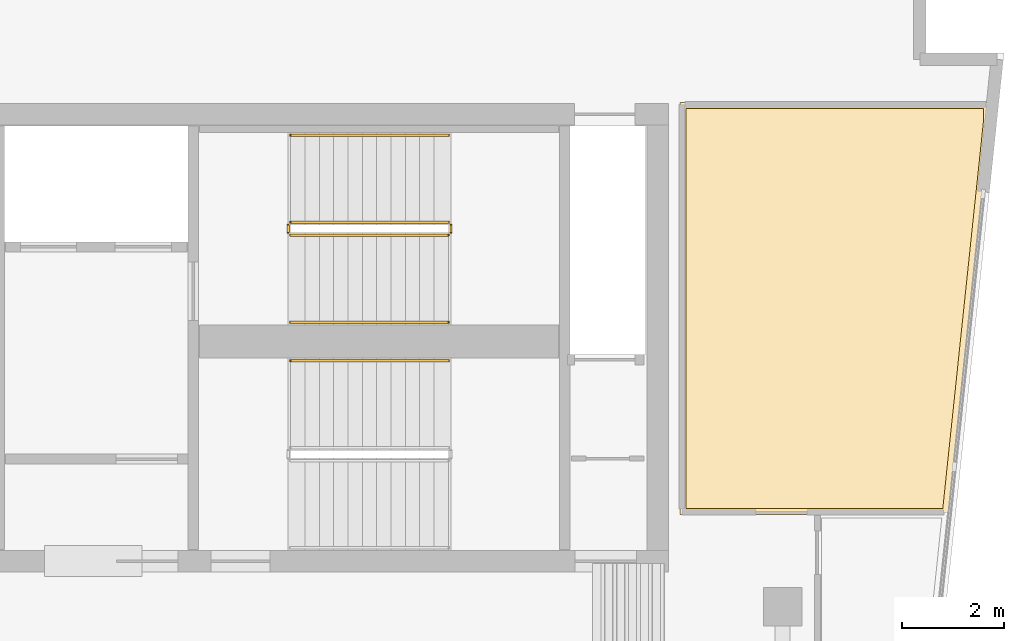
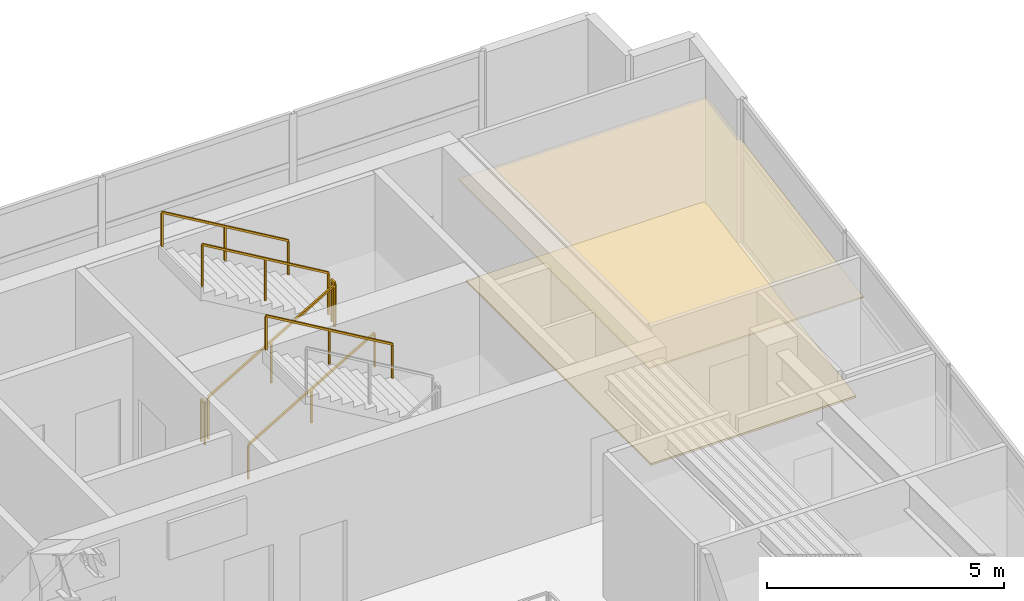
# One storey, part 6 of 6: 7 railings, 2 coverings.
"""IFC4 building model written with IfcOpenShell, lengths in metres."""

from ifc_helpers import new_model, si_unit, direction, frame, origin, origin_2d, place, context, subcontext, project, spatial, polyline, rectangle, outline, extrude, material, layer, layer_set, type_object, element, save


model = new_model("IFC4")

# Units and contexts
model_context = context("Model", 3, precision=1e-05, world=origin(), true_north=direction((0.0, 1.0)))
body_context = subcontext(model_context, "Body", "Model", "MODEL_VIEW")
ifc_project = project(units=[si_unit("LENGTHUNIT", "METRE"), si_unit("AREAUNIT", "SQUARE_METRE"), si_unit("VOLUMEUNIT", "CUBIC_METRE"), si_unit("PLANEANGLEUNIT", "RADIAN"), si_unit("MASSUNIT", "GRAM", prefix="KILO")], contexts=[model_context])

# Site, building, storey
site_placement = place(None, origin())
site = spatial("IfcSite", under=ifc_project, at=site_placement, CompositionType="ELEMENT")
building_placement = place(site_placement, origin())
building = spatial("IfcBuilding", under=site, at=building_placement, Name="Caeloran Harvest Quay", CompositionType="ELEMENT")
storey_placement = place(building_placement, frame((0.0, 0.0, 284.35009765625)))
storey = spatial("IfcBuildingStorey", under=building, at=storey_placement, Name="L68", CompositionType="ELEMENT", Elevation=284.35009765625)

# Coverings
ifc_material_1 = material(Name="Perforated Mineral-Fibre Acoustic Ceiling Tile", Category="ceiling")
ifc_layer_1 = layer(ifc_material_1, 0.0400390625, Name="Perforated Mineral-Fibre Acoustic Ceiling Tile")
ifc_layer_set_1 = layer_set([ifc_layer_1], Name="Perforated Mineral-Fibre Acoustic Ceiling Tile")
covering_type_1 = type_object("IfcCoveringType", Name="COV-CEILING-ACOUSTIC", PredefinedType="CEILING", material=ifc_layer_set_1)
covering_1_placement = place(storey_placement, frame((0.0, 0.0, 2.599853515625)))
element("IfcCovering", 1, at=covering_1_placement, inside=storey, type_object=covering_type_1, Name="L68 Bioinformatics and Crop Phenotyping Laboratory Acoustic Ceiling", PredefinedType="CEILING", context=body_context, shape_type="SweptSolid", body=[
    extrude(outline(polyline([(29.54150390625, 40.475341796875), (28.7353515625, 32.800048828125), (23.5, 32.800048828125), (23.5, 40.840087890625), (29.54150390625, 40.840087890625), (29.54150390625, 40.475341796875)])), origin(), (0.0, 0.0, 1.0), 0.0400390625),
])
ifc_material_2 = material(Name="Calcium-Sulphate Raised Access Floor and Terrazzo Finish", Category="flooring")
ifc_layer_2 = layer(ifc_material_2, 0.050048828125, Name="Calcium-Sulphate Raised Access Floor and Terrazzo Finish")
ifc_layer_set_2 = layer_set([ifc_layer_2], Name="Calcium-Sulphate Raised Access Floor and Terrazzo Finish")
covering_type_2 = type_object("IfcCoveringType", Name="COV-FLOOR-RAISED", PredefinedType="FLOORING", material=ifc_layer_set_2)
covering_2_placement = place(storey_placement, origin())
element("IfcCovering", 2, at=covering_2_placement, inside=storey, type_object=covering_type_2, Name="L68 Bioinformatics and Crop Phenotyping Laboratory Raised Finish Flooring", PredefinedType="FLOORING", context=body_context, shape_type="SweptSolid", body=[
    extrude(outline(polyline([(29.42138671875, 40.481689453125), (28.627197265625, 32.919921875), (23.6201171875, 32.919921875), (23.6201171875, 40.719970703125), (29.42138671875, 40.719970703125), (29.42138671875, 40.481689453125)])), origin(), (0.0, 0.0, 1.0), 0.0498046875),
])

# Railings
ifc_material_3 = material(Name="Painted Steel Baluster and Top-Rail Stair Guard", Category="steel")
ifc_layer_3 = layer(ifc_material_3, 0.050048828125, Name="Painted Steel Baluster and Top-Rail Stair Guard")
ifc_layer_set_3 = layer_set([ifc_layer_3], Name="Painted Steel Baluster and Top-Rail Stair Guard")
railing_type_1 = type_object("IfcRailingType", Name="STAIR-GUARD-1100", PredefinedType="GUARDRAIL", material=ifc_layer_set_3)
railing_1_placement = place(storey_placement, frame((15.89990234375, 38.25, 0.16455078125)))
element("IfcRailing", 3, at=railing_1_placement, inside=storey, type_object=railing_type_1, Name="L68 ST-C1 stair guard 1", PredefinedType="GUARDRAIL", context=body_context, shape_type="SweptSolid", body=[
    extrude(rectangle(XDim=0.048095703125, YDim=0.048095703125, at=origin_2d()), frame((0.0, 0.0, 1.076171875), z_axis=(0.862118610829, 0.0, 0.506706523406), x_axis=(0.0, 1.0, 0.0)), (0.0, 0.0, 1.0), 3.57275390625),
    extrude(rectangle(XDim=0.0419921875, YDim=0.0419921875, at=origin_2d()), origin(), (0.0, 0.0, 1.0), 1.052001953125),
    extrude(rectangle(XDim=0.0419921875, YDim=0.0419921875, at=origin_2d()), frame((1.5400390625, 0.0, 0.9052734375)), (0.0, 0.0, 1.0), 1.052001953125),
    extrude(rectangle(XDim=0.0419921875, YDim=0.0419921875, at=origin_2d()), frame((3.080078125, 0.0, 1.810302734375)), (0.0, 0.0, 1.0), 1.052001953125),
])
railing_2_placement = place(storey_placement, frame((19.030029296875, 38.300048828125, 1.974853515625)))
element("IfcRailing", 4, at=railing_2_placement, inside=storey, type_object=railing_type_1, Name="L68 ST-C1 stair guard 2", PredefinedType="GUARDRAIL", context=body_context, shape_type="SweptSolid", body=[
    extrude(rectangle(XDim=0.048095703125, YDim=0.048095703125, at=origin_2d()), frame((0.0, 0.0, 1.076171875), z_axis=(0.0, 1.0, 0.0), x_axis=(-1.0, 0.0, 0.0)), (0.0, 0.0, 1.0), 0.14990234375),
    extrude(rectangle(XDim=0.0419921875, YDim=0.0419921875, at=origin_2d()), origin(), (0.0, 0.0, 1.0), 1.052001953125),
    extrude(rectangle(XDim=0.0419921875, YDim=0.0419921875, at=origin_2d()), frame((0.0, 0.14990234375, 0.0)), (0.0, 0.0, 1.0), 1.052001953125),
])
railing_3_placement = place(storey_placement, frame((18.97998046875, 38.5, 2.139404296875)))
element("IfcRailing", 5, at=railing_3_placement, inside=storey, type_object=railing_type_1, Name="L68 ST-C1 stair guard 3", PredefinedType="GUARDRAIL", context=body_context, shape_type="SweptSolid", body=[
    extrude(rectangle(XDim=0.048095703125, YDim=0.048095703125, at=origin_2d()), frame((0.0, 0.0, 1.076171875), z_axis=(-0.862088758681, 0.0, 0.506757310905), x_axis=(0.0, -1.0, 0.0)), (0.0, 0.0, 1.0), 3.57275390625),
    extrude(rectangle(XDim=0.0419921875, YDim=0.0419921875, at=origin_2d()), origin(), (0.0, 0.0, 1.0), 1.052001953125),
    extrude(rectangle(XDim=0.0419921875, YDim=0.0419921875, at=origin_2d()), frame((-1.5400390625, 0.0, 0.9052734375)), (0.0, 0.0, 1.0), 1.052001953125),
    extrude(rectangle(XDim=0.0419921875, YDim=0.0419921875, at=origin_2d()), frame((-3.080078125, 0.0, 1.810546875)), (0.0, 0.0, 1.0), 1.052001953125),
])
railing_4_placement = place(storey_placement, frame((15.85009765625, 38.300048828125, 0.0)))
element("IfcRailing", 6, at=railing_4_placement, inside=storey, type_object=railing_type_1, Name="L68 ST-C1 stair guard 4", PredefinedType="GUARDRAIL", context=body_context, shape_type="SweptSolid", body=[
    extrude(rectangle(XDim=0.048095703125, YDim=0.048095703125, at=origin_2d()), frame((0.0, 0.0, 1.076171875), z_axis=(0.0, 1.0, 0.0), x_axis=(-1.0, 0.0, 0.0)), (0.0, 0.0, 1.0), 0.14990234375),
    extrude(rectangle(XDim=0.0419921875, YDim=0.0419921875, at=origin_2d()), origin(), (0.0, 0.0, 1.0), 1.052001953125),
    extrude(rectangle(XDim=0.0419921875, YDim=0.0419921875, at=origin_2d()), frame((0.0, 0.14990234375, 0.0)), (0.0, 0.0, 1.0), 1.052001953125),
])
ifc_material_4 = material(Name="Brushed Stainless Steel Grade 304", Category="steel")
ifc_layer_4 = layer(ifc_material_4, 0.050048828125, Name="Brushed Stainless Steel Grade 304")
ifc_layer_set_4 = layer_set([ifc_layer_4], Name="Brushed Stainless Steel Grade 304")
railing_type_2 = type_object("IfcRailingType", Name="STAIR-HANDRAIL-900", PredefinedType="HANDRAIL", material=ifc_layer_set_4)
railing_5_placement = place(storey_placement, frame((15.89990234375, 36.550048828125, 0.16455078125)))
element("IfcRailing", 7, at=railing_5_placement, inside=storey, type_object=railing_type_2, Name="L68 ST-C1 stair handrail 1", PredefinedType="HANDRAIL", context=body_context, shape_type="SweptSolid", body=[
    extrude(rectangle(XDim=0.048095703125, YDim=0.048095703125, at=origin_2d()), frame((0.0, 0.0, 0.8759765625), z_axis=(0.862118610829, 0.0, 0.506706523406), x_axis=(0.0, 1.0, 0.0)), (0.0, 0.0, 1.0), 3.57275390625),
    extrude(rectangle(XDim=0.0419921875, YDim=0.0419921875, at=origin_2d()), origin(), (0.0, 0.0, 1.0), 0.851806640625),
    extrude(rectangle(XDim=0.0419921875, YDim=0.0419921875, at=origin_2d()), frame((1.5400390625, 0.0, 0.9052734375)), (0.0, 0.0, 1.0), 0.851806640625),
    extrude(rectangle(XDim=0.0419921875, YDim=0.0419921875, at=origin_2d()), frame((3.080078125, 0.0, 1.810302734375)), (0.0, 0.0, 1.0), 0.851806640625),
])
for number, where, name in (
    (8, (18.97998046875, 40.199951171875, 2.139404296875), "L68 ST-C1 stair handrail 2"),
    (9, (18.97998046875, 35.800048828125, 2.139404296875), "L68 ST-C2 stair handrail 2"),
):
    element("IfcRailing", number, at=place(storey_placement, frame(where)), inside=storey, type_object=railing_type_2, Name=name, PredefinedType="HANDRAIL", context=body_context, shape_type="SweptSolid", body=[
        extrude(rectangle(XDim=0.048095703125, YDim=0.048095703125, at=origin_2d()), frame((0.0, 0.0, 0.8759765625), z_axis=(-0.862088758681, 0.0, 0.506757310905), x_axis=(0.0, -1.0, 0.0)), (0.0, 0.0, 1.0), 3.57275390625),
        extrude(rectangle(XDim=0.0419921875, YDim=0.0419921875, at=origin_2d()), origin(), (0.0, 0.0, 1.0), 0.851806640625),
        extrude(rectangle(XDim=0.0419921875, YDim=0.0419921875, at=origin_2d()), frame((-1.5400390625, 0.0, 0.9052734375)), (0.0, 0.0, 1.0), 0.851806640625),
        extrude(rectangle(XDim=0.0419921875, YDim=0.0419921875, at=origin_2d()), frame((-3.080078125, 0.0, 1.810546875)), (0.0, 0.0, 1.0), 0.851806640625),
    ])

save(model, "model.ifc")
